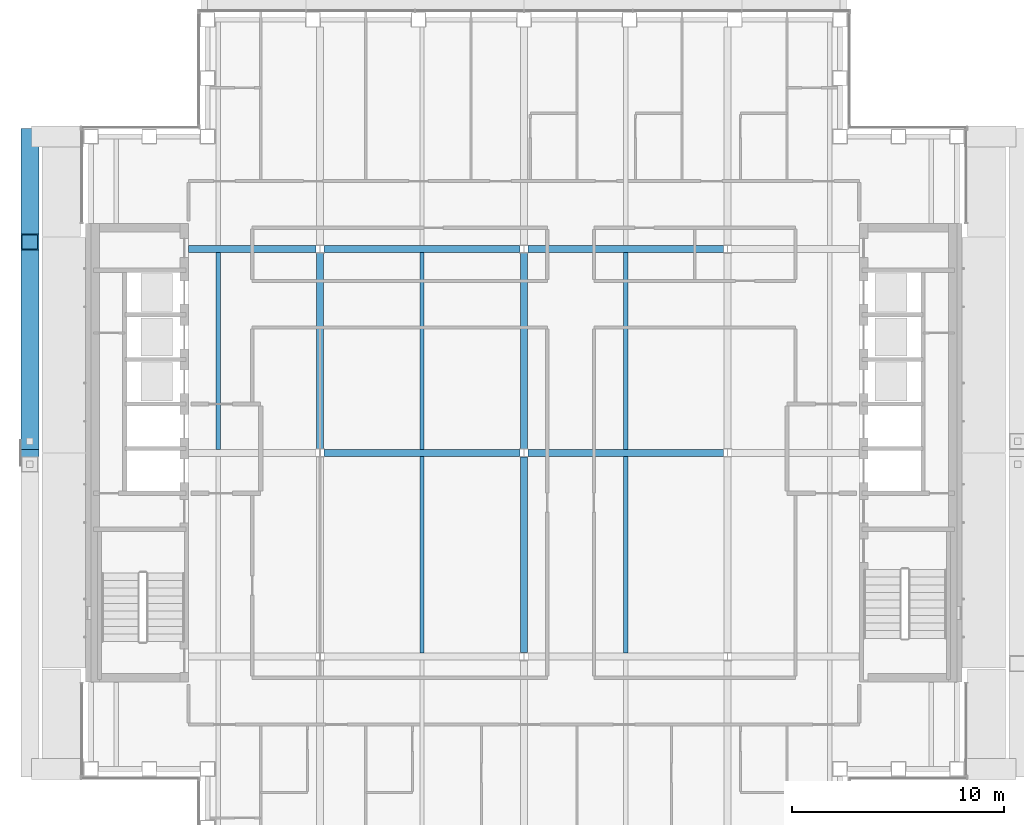
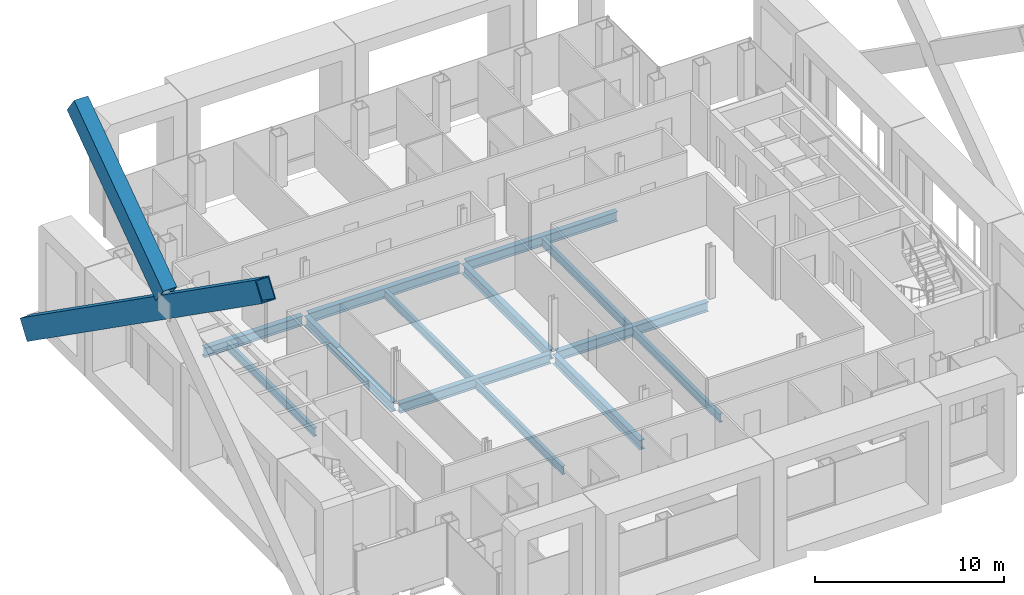
# One storey, part 5 of 21: 13 beams, 2 members.
"""IFC4 building model written with IfcOpenShell, lengths in metres."""

from ifc_helpers import new_model, si_unit, direction, frame, origin, origin_2d, place, context, subcontext, project, spatial, hollow_rectangle, i_section, extrude, material, material_profile, profile_set, type_object, element, save


model = new_model("IFC4")

# Units and contexts
model_context = context("Model", 3, precision=1e-05, world=origin(), true_north=direction((0.0, 1.0)))
body_context = subcontext(model_context, "Body", "Model", "MODEL_VIEW")
ifc_project = project(units=[si_unit("LENGTHUNIT", "METRE"), si_unit("AREAUNIT", "SQUARE_METRE"), si_unit("VOLUMEUNIT", "CUBIC_METRE"), si_unit("PLANEANGLEUNIT", "RADIAN"), si_unit("MASSUNIT", "GRAM", prefix="KILO")], contexts=[model_context])

# Site, building, storey
site_placement = place(None, origin())
site = spatial("IfcSite", under=ifc_project, at=site_placement, CompositionType="ELEMENT")
building_placement = place(site_placement, origin())
building = spatial("IfcBuilding", under=site, at=building_placement, Name="Cobrizo Arcos Hotel Tower", CompositionType="ELEMENT")
storey_placement = place(building_placement, frame((0.0, 0.0, 212.0)))
storey = spatial("IfcBuildingStorey", under=building, at=storey_placement, Name="L55", CompositionType="ELEMENT", Elevation=212.0)

# Members
ifc_material_1 = material(Name="Steel ASTM A572 Grade 50", Category="steel")
ifc_material_profile_1 = material_profile(ifc_material_1, hollow_rectangle(XDim=0.85009765625, YDim=1.300048828125, WallThickness=0.06005859375, at=origin_2d()), Name="BOX 850X1300X60")
ifc_profile_set_1 = profile_set([ifc_material_profile_1], Name="Steel ASTM A572 Grade 50")
member_type = type_object("IfcMemberType", Name="BOX 850X1300X60 perimeter brace", PredefinedType="BRACE", material=ifc_profile_set_1)
member_1_placement = place(storey_placement, frame((-23.27490234375, 14.89990234375, 0.5), z_axis=(0.0, -0.81742283515, 0.576038113821), x_axis=(1.0, 0.0, 0.0)))
element("IfcMember", 1, at=member_1_placement, inside=storey, type_object=member_type, Name="Perimeter brace PBR4, zone Z4, west face, no. 02", PredefinedType="BRACE", context=body_context, shape_type="SweptSolid", body=[
    extrude(hollow_rectangle(XDim=0.85009765625, YDim=1.300048828125, WallThickness=0.06005859375, at=origin_2d()), origin(), (0.0, 0.0, 1.0), 30.3798828125),
])
member_2_placement = place(storey_placement, frame((-23.27490234375, 0.539794921875, 11.38037109375), z_axis=(0.0, 0.817423321181, 0.576037424122), x_axis=(-1.0, 0.0, 0.0)))
element("IfcMember", 2, at=member_2_placement, inside=storey, type_object=member_type, Name="Perimeter brace PBR4, zone Z4, west face, no. 03b", PredefinedType="BRACE", context=body_context, shape_type="SweptSolid", body=[
    extrude(hollow_rectangle(XDim=0.85009765625, YDim=1.300048828125, WallThickness=0.06005859375, at=origin_2d()), origin(), (0.0, 0.0, 1.0), 11.49169921875),
])

# Beams
ifc_material_2 = material(Name="Steel ASTM A992 Grade 50", Category="steel")
ifc_material_profile_2 = material_profile(ifc_material_2, i_section(OverallWidth=0.209228515625, OverallDepth=0.533447265625, WebThickness=0.01025390625, FlangeThickness=0.015625, at=origin_2d()), Name="W21X62")
ifc_profile_set_2 = profile_set([ifc_material_profile_2], Name="Steel ASTM A992 Grade 50")
beam_type_1 = type_object("IfcBeamType", Name="W21X62 joist", PredefinedType="JOIST", material=ifc_profile_set_2)
for number, where, z_axis, x_axis, name in (
    (3, (-14.39990234375, 0.163818359375, -0.416748046875), (0.0, 1.0, 0.0), (-1.0, 0.0, 0.0), "Floor joist J1, L55, no. 005"),
    (4, (-4.800048828125, -9.43603515625, -0.416748046875), (0.0, 1.0, 0.0), (-1.0, 0.0, 0.0), "Floor joist J1, L55, no. 008"),
    (5, (-4.800048828125, 0.163818359375, -0.416748046875), (0.0, 1.0, 0.0), (-1.0, 0.0, 0.0), "Floor joist J1, L55, no. 009"),
    (6, (4.800048828125, -9.43603515625, -0.416748046875), (0.0, 1.0, 0.0), (-1.0, 0.0, 0.0), "Floor joist J1, L55, no. 012"),
    (7, (4.800048828125, 0.163818359375, -0.416748046875), (0.0, 1.0, 0.0), (-1.0, 0.0, 0.0), "Floor joist J1, L55, no. 013"),
):
    element("IfcBeam", number, at=place(storey_placement, frame(where, z_axis=z_axis, x_axis=x_axis)), inside=storey, type_object=beam_type_1, Name=name, PredefinedType="JOIST", context=body_context, shape_type="SweptSolid", body=[
        extrude(i_section(OverallWidth=0.209228515625, OverallDepth=0.533447265625, WebThickness=0.01025390625, FlangeThickness=0.015625, at=origin_2d()), origin(), (0.0, 0.0, 1.0), 9.272216796875),
    ])
ifc_material_profile_3 = material_profile(ifc_material_2, i_section(OverallWidth=0.32763671875, OverallDepth=0.622314453125, WebThickness=0.015380859375, FlangeThickness=0.0244140625, at=origin_2d()), Name="W24X131")
ifc_profile_set_3 = profile_set([ifc_material_profile_3], Name="Steel ASTM A992 Grade 50")
beam_type_2 = type_object("IfcBeamType", Name="W24X131 girder", PredefinedType="BEAM", material=ifc_profile_set_3)
for number, where, z_axis, x_axis, name in (
    (8, (-9.413330078125, 0.0, -0.461181640625), (1.0, 0.0, 0.0), (0.0, 1.0, 0.0), "Floor girder G1, L55, no. 006"),
    (9, (0.186767578125, 0.0, -0.461181640625), (1.0, 0.0, 0.0), (0.0, 1.0, 0.0), "Floor girder G1, L55, no. 007"),
):
    element("IfcBeam", number, at=place(storey_placement, frame(where, z_axis=z_axis, x_axis=x_axis)), inside=storey, type_object=beam_type_2, Name=name, PredefinedType="BEAM", context=body_context, shape_type="SweptSolid", body=[
        extrude(i_section(OverallWidth=0.32763671875, OverallDepth=0.622314453125, WebThickness=0.015380859375, FlangeThickness=0.0244140625, at=origin_2d()), origin(), (0.0, 0.0, 1.0), 9.2265625),
    ])
beam_placement = place(storey_placement, frame((-15.7900390625, 9.60009765625, -0.461181640625), z_axis=(1.0, 0.0, 0.0), x_axis=(0.0, 1.0, 0.0)))
element("IfcBeam", 10, at=beam_placement, inside=storey, type_object=beam_type_2, Name="Floor girder G1, L55, no. 009", PredefinedType="BEAM", context=body_context, shape_type="SweptSolid", body=[
    extrude(i_section(OverallWidth=0.32763671875, OverallDepth=0.622314453125, WebThickness=0.015380859375, FlangeThickness=0.0244140625, at=origin_2d()), origin(), (0.0, 0.0, 1.0), 6.00341796875),
])
for number, where, z_axis, x_axis, name in (
    (11, (-9.413330078125, 9.60009765625, -0.461181640625), (1.0, 0.0, 0.0), (0.0, 1.0, 0.0), "Floor girder G1, L55, no. 010"),
    (12, (0.186767578125, 9.60009765625, -0.461181640625), (1.0, 0.0, 0.0), (0.0, 1.0, 0.0), "Floor girder G1, L55, no. 011"),
    (13, (-9.60009765625, 0.186767578125, -0.461181640625), (0.0, 1.0, 0.0), (-1.0, 0.0, 0.0), "Floor girder G1, L55, no. 015"),
    (14, (0.0, -9.413330078125, -0.461181640625), (0.0, 1.0, 0.0), (-1.0, 0.0, 0.0), "Floor girder G1, L55, no. 018"),
    (15, (0.0, 0.186767578125, -0.461181640625), (0.0, 1.0, 0.0), (-1.0, 0.0, 0.0), "Floor girder G1, L55, no. 019"),
):
    element("IfcBeam", number, at=place(storey_placement, frame(where, z_axis=z_axis, x_axis=x_axis)), inside=storey, type_object=beam_type_2, Name=name, PredefinedType="BEAM", context=body_context, shape_type="SweptSolid", body=[
        extrude(i_section(OverallWidth=0.32763671875, OverallDepth=0.622314453125, WebThickness=0.015380859375, FlangeThickness=0.0244140625, at=origin_2d()), origin(), (0.0, 0.0, 1.0), 9.2265625),
    ])

save(model, "model.ifc")
